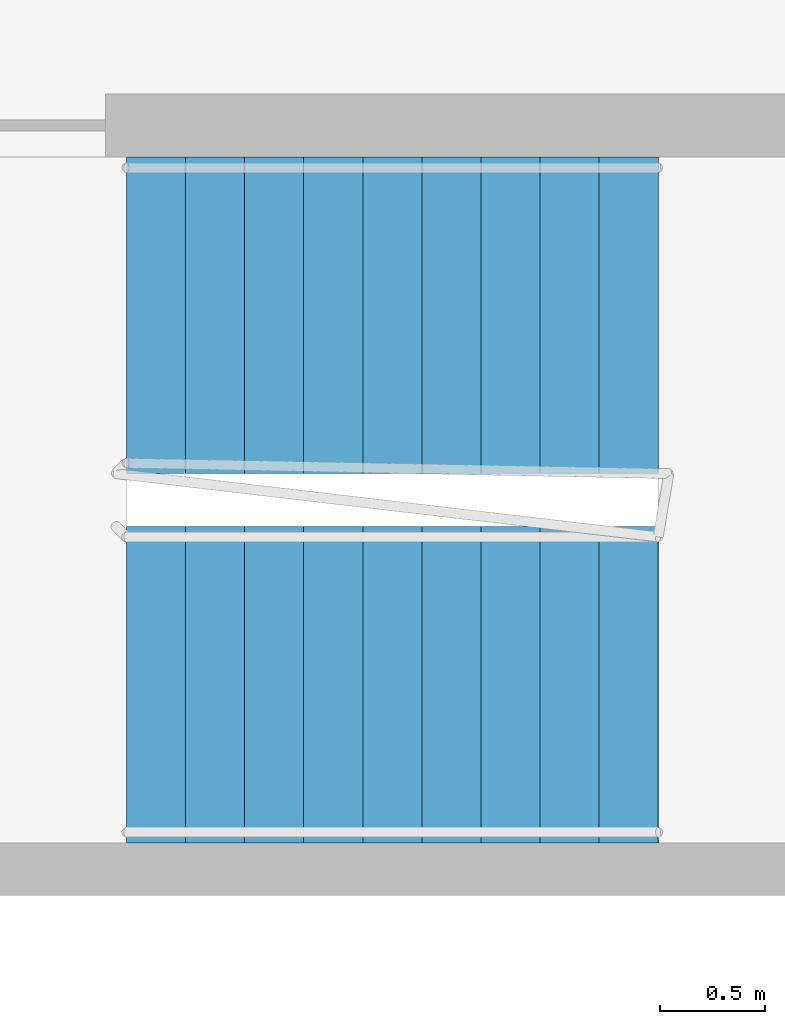
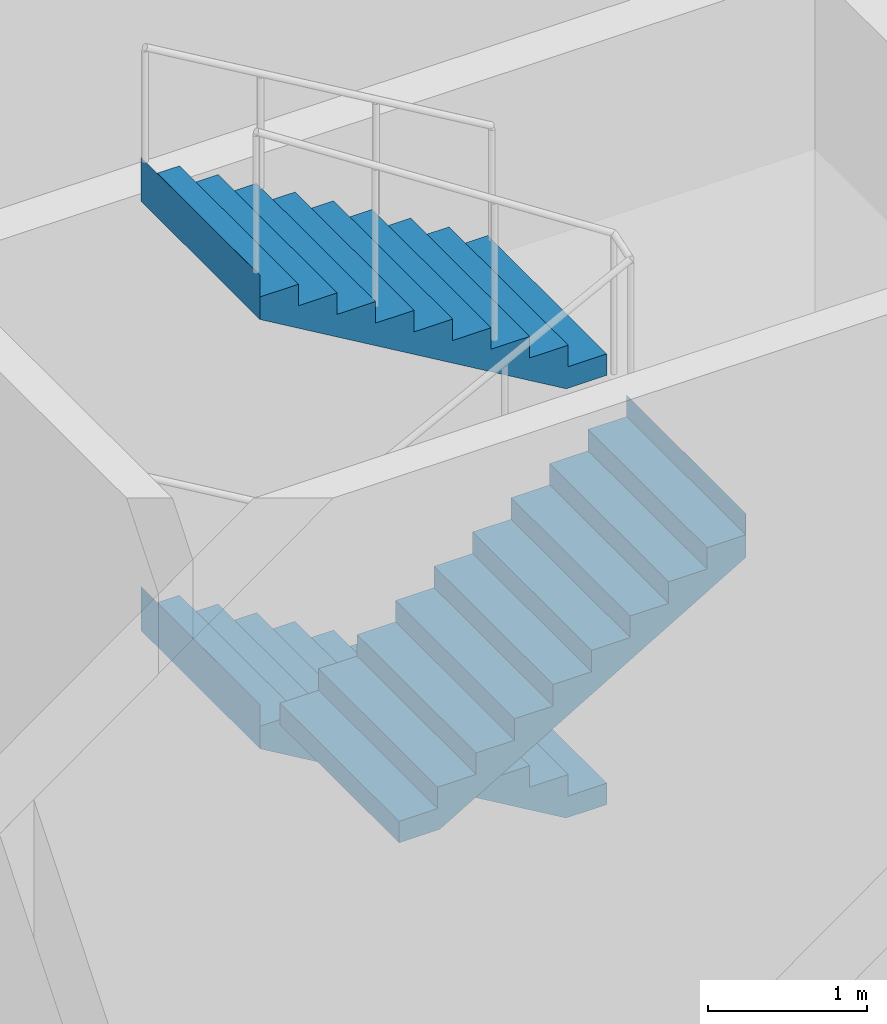
# One storey, part 22 of 25: 3 stair flights, 1 element without a shape of its own.
"""IFC4 building model written with IfcOpenShell, lengths in metres."""

from ifc_helpers import new_model, si_unit, direction, frame, origin, place, context, subcontext, project, spatial, faceted_brep, material, type_object, element, aggregate, save


model = new_model("IFC4")

# Units and contexts
model_context = context("Model", 3, precision=1e-05, world=origin(), true_north=direction((0.0, 1.0)))
body_context = subcontext(model_context, "Body", "Model", "MODEL_VIEW")
ifc_project = project(units=[si_unit("LENGTHUNIT", "METRE"), si_unit("AREAUNIT", "SQUARE_METRE"), si_unit("VOLUMEUNIT", "CUBIC_METRE"), si_unit("PLANEANGLEUNIT", "RADIAN"), si_unit("MASSUNIT", "GRAM", prefix="KILO")], contexts=[model_context])

# Site, building, storey
site_placement = place(None, origin())
site = spatial("IfcSite", under=ifc_project, at=site_placement, CompositionType="ELEMENT")
building_placement = place(site_placement, origin())
building = spatial("IfcBuilding", under=site, at=building_placement, Name="Kajstack Hotel Tower", CompositionType="ELEMENT")
storey_placement = place(building_placement, frame((0.0, 0.0, 104.199951171875)))
storey = spatial("IfcBuildingStorey", under=building, at=storey_placement, Name="L22", CompositionType="ELEMENT", Elevation=104.199951171875)

# Stair, stair flights
ifc_material = material(Name="Concrete C40/50", Category="concrete")
stair_type = type_object("IfcStairType", Name="Exit stair 1500", PredefinedType="HALF_TURN_STAIR", material=ifc_material)
stair_placement = place(storey_placement, origin())
stair = element("IfcStair", 1, at=stair_placement, inside=storey, type_object=stair_type, Name="L22 stair E3", PredefinedType="HALF_TURN_STAIR")
stair_flight_type = type_object("IfcStairFlightType", Name="Exit stair flight 1500", PredefinedType="STRAIGHT", material=ifc_material)
stair_flight_1_placement = place(storey_placement, frame((28.219970703125, 14.449951171875, 1.650146484375), z_axis=(0.0, 0.0, 1.0), x_axis=(-1.0, 0.0, 0.0)))
stair_flight_1 = element("IfcStairFlight", 2, at=stair_flight_1_placement, type_object=stair_flight_type, Name="E3 flight 2", NumberOfRisers=10, NumberOfTreads=9, PredefinedType="STRAIGHT", RiserHeight=0.165, TreadLength=0.28, context=body_context, shape_type="Brep", body=[
    faceted_brep([(0.295654296875, -0.75, 0.0), (2.5205078125, -0.75, 1.31103515625), (2.5205078125, -0.75, 1.64990234375), (2.52001953125, -0.75, 1.64990234375), (2.52001953125, -0.75, 1.485107421875), (2.239990234375, -0.75, 1.485107421875), (2.239990234375, -0.75, 1.320068359375), (1.9599609375, -0.75, 1.320068359375), (1.9599609375, -0.75, 1.155029296875), (1.679931640625, -0.75, 1.155029296875), (1.679931640625, -0.75, 0.989990234375), (1.39990234375, -0.75, 0.989990234375), (1.39990234375, -0.75, 0.824951171875), (1.1201171875, -0.75, 0.824951171875), (1.1201171875, -0.75, 0.659912109375), (0.840087890625, -0.75, 0.659912109375), (0.840087890625, -0.75, 0.4951171875), (0.56005859375, -0.75, 0.4951171875), (0.56005859375, -0.75, 0.330078125), (0.280029296875, -0.75, 0.330078125), (0.280029296875, -0.75, 0.1650390625), (-0.00048828125, -0.75, 0.1650390625), (-0.00048828125, -0.75, 0.0), (-0.00048828125, 0.75, 0.0), (-0.00048828125, 0.75, 0.1650390625), (0.280029296875, 0.75, 0.1650390625), (0.280029296875, 0.75, 0.330078125), (0.56005859375, 0.75, 0.330078125), (0.56005859375, 0.75, 0.4951171875), (0.840087890625, 0.75, 0.4951171875), (0.840087890625, 0.75, 0.659912109375), (1.1201171875, 0.75, 0.659912109375), (1.1201171875, 0.75, 0.824951171875), (1.39990234375, 0.75, 0.824951171875), (1.39990234375, 0.75, 0.989990234375), (1.679931640625, 0.75, 0.989990234375), (1.679931640625, 0.75, 1.155029296875), (1.9599609375, 0.75, 1.155029296875), (1.9599609375, 0.75, 1.320068359375), (2.239990234375, 0.75, 1.320068359375), (2.239990234375, 0.75, 1.485107421875), (2.52001953125, 0.75, 1.485107421875), (2.52001953125, 0.75, 1.64990234375), (2.5205078125, 0.75, 1.64990234375), (2.5205078125, 0.75, 1.31103515625), (0.295654296875, 0.75, 0.0), (-0.00048828125, -0.375, 0.1650390625), (-0.00048828125, 0.0, 0.1650390625), (-0.00048828125, 0.375, 0.1650390625), (-0.00048828125, 0.375, 0.0), (-0.00048828125, 0.0, 0.0), (-0.00048828125, -0.375, 0.0), (0.280029296875, -0.375, 0.1650390625), (0.280029296875, 0.0, 0.1650390625), (0.280029296875, 0.375, 0.1650390625), (0.280029296875, -0.375, 0.330078125), (0.280029296875, 0.0, 0.330078125), (0.280029296875, 0.375, 0.330078125), (0.56005859375, -0.375, 0.330078125), (0.56005859375, 0.0, 0.330078125), (0.56005859375, 0.375, 0.330078125), (0.56005859375, -0.375, 0.4951171875), (0.56005859375, 0.0, 0.4951171875), (0.56005859375, 0.375, 0.4951171875), (0.840087890625, -0.375, 0.4951171875), (0.840087890625, 0.0, 0.4951171875), (0.840087890625, 0.375, 0.4951171875), (0.840087890625, -0.375, 0.659912109375), (0.840087890625, 0.0, 0.659912109375), (0.840087890625, 0.375, 0.659912109375), (1.1201171875, -0.375, 0.659912109375), (1.1201171875, 0.0, 0.659912109375), (1.1201171875, 0.375, 0.659912109375), (1.1201171875, -0.375, 0.824951171875), (1.1201171875, 0.0, 0.824951171875), (1.1201171875, 0.375, 0.824951171875), (1.39990234375, -0.375, 0.824951171875), (1.39990234375, 0.0, 0.824951171875), (1.39990234375, 0.375, 0.824951171875), (1.39990234375, -0.375, 0.989990234375), (1.39990234375, 0.0, 0.989990234375), (1.39990234375, 0.375, 0.989990234375), (1.679931640625, -0.375, 0.989990234375), (1.679931640625, 0.0, 0.989990234375), (1.679931640625, 0.375, 0.989990234375), (1.679931640625, -0.375, 1.155029296875), (1.679931640625, 0.0, 1.155029296875), (1.679931640625, 0.375, 1.155029296875), (1.9599609375, -0.375, 1.155029296875), (1.9599609375, 0.0, 1.155029296875), (1.9599609375, 0.375, 1.155029296875), (1.9599609375, -0.375, 1.320068359375), (1.9599609375, 0.0, 1.320068359375), (1.9599609375, 0.375, 1.320068359375), (2.239990234375, -0.375, 1.320068359375), (2.239990234375, 0.0, 1.320068359375), (2.239990234375, 0.375, 1.320068359375), (2.239990234375, -0.375, 1.485107421875), (2.239990234375, 0.0, 1.485107421875), (2.239990234375, 0.375, 1.485107421875), (2.52001953125, -0.375, 1.485107421875), (2.52001953125, 0.0, 1.485107421875), (2.52001953125, 0.375, 1.485107421875), (2.52001953125, -0.375, 1.64990234375), (2.52001953125, 0.0, 1.64990234375), (2.52001953125, 0.375, 1.64990234375), (2.5205078125, -0.375, 1.64990234375), (2.5205078125, 0.0, 1.64990234375), (2.5205078125, 0.375, 1.64990234375), (2.5205078125, -0.375, 1.31103515625), (2.5205078125, 0.0, 1.31103515625), (2.5205078125, 0.375, 1.31103515625), (0.295654296875, -0.375, 0.0), (0.295654296875, 0.0, 0.0), (0.295654296875, 0.375, 0.0)], [[[0, 1, 2, 3, 4, 5, 6, 7, 8, 9, 10, 11, 12, 13, 14, 15, 16, 17, 18, 19, 20, 21, 22]], [[23, 24, 25, 26, 27, 28, 29, 30, 31, 32, 33, 34, 35, 36, 37, 38, 39, 40, 41, 42, 43, 44, 45]], [[21, 46, 47, 48, 24, 23, 49, 50, 51, 22]], [[20, 52, 53, 54, 25, 24, 48, 47, 46, 21]], [[19, 55, 56, 57, 26, 25, 54, 53, 52, 20]], [[18, 58, 59, 60, 27, 26, 57, 56, 55, 19]], [[17, 61, 62, 63, 28, 27, 60, 59, 58, 18]], [[16, 64, 65, 66, 29, 28, 63, 62, 61, 17]], [[15, 67, 68, 69, 30, 29, 66, 65, 64, 16]], [[14, 70, 71, 72, 31, 30, 69, 68, 67, 15]], [[13, 73, 74, 75, 32, 31, 72, 71, 70, 14]], [[12, 76, 77, 78, 33, 32, 75, 74, 73, 13]], [[11, 79, 80, 81, 34, 33, 78, 77, 76, 12]], [[10, 82, 83, 84, 35, 34, 81, 80, 79, 11]], [[9, 85, 86, 87, 36, 35, 84, 83, 82, 10]], [[8, 88, 89, 90, 37, 36, 87, 86, 85, 9]], [[7, 91, 92, 93, 38, 37, 90, 89, 88, 8]], [[6, 94, 95, 96, 39, 38, 93, 92, 91, 7]], [[5, 97, 98, 99, 40, 39, 96, 95, 94, 6]], [[4, 100, 101, 102, 41, 40, 99, 98, 97, 5]], [[3, 103, 104, 105, 42, 41, 102, 101, 100, 4]], [[2, 106, 107, 108, 43, 42, 105, 104, 103, 3]], [[1, 109, 110, 111, 44, 43, 108, 107, 106, 2]], [[0, 112, 113, 114, 45, 44, 111, 110, 109, 1]], [[22, 51, 50, 49, 23, 45, 114, 113, 112, 0]]]),
])
stair_flight_2_placement = place(storey_placement, frame((25.699951171875, 12.699951171875, 3.300048828125), z_axis=(0.0, 0.0, 1.0), x_axis=(1.0, 0.0, 0.0)))
stair_flight_2 = element("IfcStairFlight", 3, at=stair_flight_2_placement, type_object=stair_flight_type, Name="E3 flight 3", NumberOfRisers=10, NumberOfTreads=9, PredefinedType="STRAIGHT", RiserHeight=0.165, TreadLength=0.28, context=body_context, shape_type="Brep", body=[
    faceted_brep([(0.295654296875, -0.75, 0.0), (2.5205078125, -0.75, 1.31103515625), (2.5205078125, -0.75, 1.64990234375), (2.52001953125, -0.75, 1.64990234375), (2.52001953125, -0.75, 1.485107421875), (2.239990234375, -0.75, 1.485107421875), (2.239990234375, -0.75, 1.320068359375), (1.9599609375, -0.75, 1.320068359375), (1.9599609375, -0.75, 1.155029296875), (1.679931640625, -0.75, 1.155029296875), (1.679931640625, -0.75, 0.989990234375), (1.39990234375, -0.75, 0.989990234375), (1.39990234375, -0.75, 0.824951171875), (1.1201171875, -0.75, 0.824951171875), (1.1201171875, -0.75, 0.659912109375), (0.840087890625, -0.75, 0.659912109375), (0.840087890625, -0.75, 0.4951171875), (0.56005859375, -0.75, 0.4951171875), (0.56005859375, -0.75, 0.330078125), (0.280029296875, -0.75, 0.330078125), (0.280029296875, -0.75, 0.1650390625), (-0.00048828125, -0.75, 0.1650390625), (-0.00048828125, -0.75, 0.0), (-0.00048828125, 0.75, 0.0), (-0.00048828125, 0.75, 0.1650390625), (0.280029296875, 0.75, 0.1650390625), (0.280029296875, 0.75, 0.330078125), (0.56005859375, 0.75, 0.330078125), (0.56005859375, 0.75, 0.4951171875), (0.840087890625, 0.75, 0.4951171875), (0.840087890625, 0.75, 0.659912109375), (1.1201171875, 0.75, 0.659912109375), (1.1201171875, 0.75, 0.824951171875), (1.39990234375, 0.75, 0.824951171875), (1.39990234375, 0.75, 0.989990234375), (1.679931640625, 0.75, 0.989990234375), (1.679931640625, 0.75, 1.155029296875), (1.9599609375, 0.75, 1.155029296875), (1.9599609375, 0.75, 1.320068359375), (2.239990234375, 0.75, 1.320068359375), (2.239990234375, 0.75, 1.485107421875), (2.52001953125, 0.75, 1.485107421875), (2.52001953125, 0.75, 1.64990234375), (2.5205078125, 0.75, 1.64990234375), (2.5205078125, 0.75, 1.31103515625), (0.295654296875, 0.75, 0.0), (-0.00048828125, -0.375, 0.1650390625), (-0.00048828125, 0.0, 0.1650390625), (-0.00048828125, 0.375, 0.1650390625), (-0.00048828125, 0.375, 0.0), (-0.00048828125, 0.0, 0.0), (-0.00048828125, -0.375, 0.0), (0.280029296875, -0.375, 0.1650390625), (0.280029296875, 0.0, 0.1650390625), (0.280029296875, 0.375, 0.1650390625), (0.280029296875, -0.375, 0.330078125), (0.280029296875, 0.0, 0.330078125), (0.280029296875, 0.375, 0.330078125), (0.56005859375, -0.375, 0.330078125), (0.56005859375, 0.0, 0.330078125), (0.56005859375, 0.375, 0.330078125), (0.56005859375, -0.375, 0.4951171875), (0.56005859375, 0.0, 0.4951171875), (0.56005859375, 0.375, 0.4951171875), (0.840087890625, -0.375, 0.4951171875), (0.840087890625, 0.0, 0.4951171875), (0.840087890625, 0.375, 0.4951171875), (0.840087890625, -0.375, 0.659912109375), (0.840087890625, 0.0, 0.659912109375), (0.840087890625, 0.375, 0.659912109375), (1.1201171875, -0.375, 0.659912109375), (1.1201171875, 0.0, 0.659912109375), (1.1201171875, 0.375, 0.659912109375), (1.1201171875, -0.375, 0.824951171875), (1.1201171875, 0.0, 0.824951171875), (1.1201171875, 0.375, 0.824951171875), (1.39990234375, -0.375, 0.824951171875), (1.39990234375, 0.0, 0.824951171875), (1.39990234375, 0.375, 0.824951171875), (1.39990234375, -0.375, 0.989990234375), (1.39990234375, 0.0, 0.989990234375), (1.39990234375, 0.375, 0.989990234375), (1.679931640625, -0.375, 0.989990234375), (1.679931640625, 0.0, 0.989990234375), (1.679931640625, 0.375, 0.989990234375), (1.679931640625, -0.375, 1.155029296875), (1.679931640625, 0.0, 1.155029296875), (1.679931640625, 0.375, 1.155029296875), (1.9599609375, -0.375, 1.155029296875), (1.9599609375, 0.0, 1.155029296875), (1.9599609375, 0.375, 1.155029296875), (1.9599609375, -0.375, 1.320068359375), (1.9599609375, 0.0, 1.320068359375), (1.9599609375, 0.375, 1.320068359375), (2.239990234375, -0.375, 1.320068359375), (2.239990234375, 0.0, 1.320068359375), (2.239990234375, 0.375, 1.320068359375), (2.239990234375, -0.375, 1.485107421875), (2.239990234375, 0.0, 1.485107421875), (2.239990234375, 0.375, 1.485107421875), (2.52001953125, -0.375, 1.485107421875), (2.52001953125, 0.0, 1.485107421875), (2.52001953125, 0.375, 1.485107421875), (2.52001953125, -0.375, 1.64990234375), (2.52001953125, 0.0, 1.64990234375), (2.52001953125, 0.375, 1.64990234375), (2.5205078125, -0.375, 1.64990234375), (2.5205078125, 0.0, 1.64990234375), (2.5205078125, 0.375, 1.64990234375), (2.5205078125, -0.375, 1.31103515625), (2.5205078125, 0.0, 1.31103515625), (2.5205078125, 0.375, 1.31103515625), (0.295654296875, -0.375, 0.0), (0.295654296875, 0.0, 0.0), (0.295654296875, 0.375, 0.0)], [[[0, 1, 2, 3, 4, 5, 6, 7, 8, 9, 10, 11, 12, 13, 14, 15, 16, 17, 18, 19, 20, 21, 22]], [[23, 24, 25, 26, 27, 28, 29, 30, 31, 32, 33, 34, 35, 36, 37, 38, 39, 40, 41, 42, 43, 44, 45]], [[21, 46, 47, 48, 24, 23, 49, 50, 51, 22]], [[20, 52, 53, 54, 25, 24, 48, 47, 46, 21]], [[19, 55, 56, 57, 26, 25, 54, 53, 52, 20]], [[18, 58, 59, 60, 27, 26, 57, 56, 55, 19]], [[17, 61, 62, 63, 28, 27, 60, 59, 58, 18]], [[16, 64, 65, 66, 29, 28, 63, 62, 61, 17]], [[15, 67, 68, 69, 30, 29, 66, 65, 64, 16]], [[14, 70, 71, 72, 31, 30, 69, 68, 67, 15]], [[13, 73, 74, 75, 32, 31, 72, 71, 70, 14]], [[12, 76, 77, 78, 33, 32, 75, 74, 73, 13]], [[11, 79, 80, 81, 34, 33, 78, 77, 76, 12]], [[10, 82, 83, 84, 35, 34, 81, 80, 79, 11]], [[9, 85, 86, 87, 36, 35, 84, 83, 82, 10]], [[8, 88, 89, 90, 37, 36, 87, 86, 85, 9]], [[7, 91, 92, 93, 38, 37, 90, 89, 88, 8]], [[6, 94, 95, 96, 39, 38, 93, 92, 91, 7]], [[5, 97, 98, 99, 40, 39, 96, 95, 94, 6]], [[4, 100, 101, 102, 41, 40, 99, 98, 97, 5]], [[3, 103, 104, 105, 42, 41, 102, 101, 100, 4]], [[2, 106, 107, 108, 43, 42, 105, 104, 103, 3]], [[1, 109, 110, 111, 44, 43, 108, 107, 106, 2]], [[0, 112, 113, 114, 45, 44, 111, 110, 109, 1]], [[22, 51, 50, 49, 23, 45, 114, 113, 112, 0]]]),
])
stair_flight_3_placement = place(storey_placement, frame((28.219970703125, 14.449951171875, 4.949951171875), z_axis=(0.0, 0.0, 1.0), x_axis=(-1.0, 0.0, 0.0)))
stair_flight_3 = element("IfcStairFlight", 4, at=stair_flight_3_placement, type_object=stair_flight_type, Name="E3 flight 4", NumberOfRisers=10, NumberOfTreads=9, PredefinedType="STRAIGHT", RiserHeight=0.165, TreadLength=0.28, context=body_context, shape_type="Brep", body=[
    faceted_brep([(0.295654296875, -0.75, 0.0), (2.5205078125, -0.75, 1.31103515625), (2.5205078125, -0.75, 1.64990234375), (2.52001953125, -0.75, 1.64990234375), (2.52001953125, -0.75, 1.485107421875), (2.239990234375, -0.75, 1.485107421875), (2.239990234375, -0.75, 1.320068359375), (1.9599609375, -0.75, 1.320068359375), (1.9599609375, -0.75, 1.155029296875), (1.679931640625, -0.75, 1.155029296875), (1.679931640625, -0.75, 0.989990234375), (1.39990234375, -0.75, 0.989990234375), (1.39990234375, -0.75, 0.824951171875), (1.1201171875, -0.75, 0.824951171875), (1.1201171875, -0.75, 0.659912109375), (0.840087890625, -0.75, 0.659912109375), (0.840087890625, -0.75, 0.4951171875), (0.56005859375, -0.75, 0.4951171875), (0.56005859375, -0.75, 0.330078125), (0.280029296875, -0.75, 0.330078125), (0.280029296875, -0.75, 0.1650390625), (-0.00048828125, -0.75, 0.1650390625), (-0.00048828125, -0.75, 0.0), (-0.00048828125, 0.75, 0.0), (-0.00048828125, 0.75, 0.1650390625), (0.280029296875, 0.75, 0.1650390625), (0.280029296875, 0.75, 0.330078125), (0.56005859375, 0.75, 0.330078125), (0.56005859375, 0.75, 0.4951171875), (0.840087890625, 0.75, 0.4951171875), (0.840087890625, 0.75, 0.659912109375), (1.1201171875, 0.75, 0.659912109375), (1.1201171875, 0.75, 0.824951171875), (1.39990234375, 0.75, 0.824951171875), (1.39990234375, 0.75, 0.989990234375), (1.679931640625, 0.75, 0.989990234375), (1.679931640625, 0.75, 1.155029296875), (1.9599609375, 0.75, 1.155029296875), (1.9599609375, 0.75, 1.320068359375), (2.239990234375, 0.75, 1.320068359375), (2.239990234375, 0.75, 1.485107421875), (2.52001953125, 0.75, 1.485107421875), (2.52001953125, 0.75, 1.64990234375), (2.5205078125, 0.75, 1.64990234375), (2.5205078125, 0.75, 1.31103515625), (0.295654296875, 0.75, 0.0), (-0.00048828125, -0.375, 0.1650390625), (-0.00048828125, 0.0, 0.1650390625), (-0.00048828125, 0.375, 0.1650390625), (-0.00048828125, 0.375, 0.0), (-0.00048828125, 0.0, 0.0), (-0.00048828125, -0.375, 0.0), (0.280029296875, -0.375, 0.1650390625), (0.280029296875, 0.0, 0.1650390625), (0.280029296875, 0.375, 0.1650390625), (0.280029296875, -0.375, 0.330078125), (0.280029296875, 0.0, 0.330078125), (0.280029296875, 0.375, 0.330078125), (0.56005859375, -0.375, 0.330078125), (0.56005859375, 0.0, 0.330078125), (0.56005859375, 0.375, 0.330078125), (0.56005859375, -0.375, 0.4951171875), (0.56005859375, 0.0, 0.4951171875), (0.56005859375, 0.375, 0.4951171875), (0.840087890625, -0.375, 0.4951171875), (0.840087890625, 0.0, 0.4951171875), (0.840087890625, 0.375, 0.4951171875), (0.840087890625, -0.375, 0.659912109375), (0.840087890625, 0.0, 0.659912109375), (0.840087890625, 0.375, 0.659912109375), (1.1201171875, -0.375, 0.659912109375), (1.1201171875, 0.0, 0.659912109375), (1.1201171875, 0.375, 0.659912109375), (1.1201171875, -0.375, 0.824951171875), (1.1201171875, 0.0, 0.824951171875), (1.1201171875, 0.375, 0.824951171875), (1.39990234375, -0.375, 0.824951171875), (1.39990234375, 0.0, 0.824951171875), (1.39990234375, 0.375, 0.824951171875), (1.39990234375, -0.375, 0.989990234375), (1.39990234375, 0.0, 0.989990234375), (1.39990234375, 0.375, 0.989990234375), (1.679931640625, -0.375, 0.989990234375), (1.679931640625, 0.0, 0.989990234375), (1.679931640625, 0.375, 0.989990234375), (1.679931640625, -0.375, 1.155029296875), (1.679931640625, 0.0, 1.155029296875), (1.679931640625, 0.375, 1.155029296875), (1.9599609375, -0.375, 1.155029296875), (1.9599609375, 0.0, 1.155029296875), (1.9599609375, 0.375, 1.155029296875), (1.9599609375, -0.375, 1.320068359375), (1.9599609375, 0.0, 1.320068359375), (1.9599609375, 0.375, 1.320068359375), (2.239990234375, -0.375, 1.320068359375), (2.239990234375, 0.0, 1.320068359375), (2.239990234375, 0.375, 1.320068359375), (2.239990234375, -0.375, 1.485107421875), (2.239990234375, 0.0, 1.485107421875), (2.239990234375, 0.375, 1.485107421875), (2.52001953125, -0.375, 1.485107421875), (2.52001953125, 0.0, 1.485107421875), (2.52001953125, 0.375, 1.485107421875), (2.52001953125, -0.375, 1.64990234375), (2.52001953125, 0.0, 1.64990234375), (2.52001953125, 0.375, 1.64990234375), (2.5205078125, -0.375, 1.64990234375), (2.5205078125, 0.0, 1.64990234375), (2.5205078125, 0.375, 1.64990234375), (2.5205078125, -0.375, 1.31103515625), (2.5205078125, 0.0, 1.31103515625), (2.5205078125, 0.375, 1.31103515625), (0.295654296875, -0.375, 0.0), (0.295654296875, 0.0, 0.0), (0.295654296875, 0.375, 0.0)], [[[0, 1, 2, 3, 4, 5, 6, 7, 8, 9, 10, 11, 12, 13, 14, 15, 16, 17, 18, 19, 20, 21, 22]], [[23, 24, 25, 26, 27, 28, 29, 30, 31, 32, 33, 34, 35, 36, 37, 38, 39, 40, 41, 42, 43, 44, 45]], [[21, 46, 47, 48, 24, 23, 49, 50, 51, 22]], [[20, 52, 53, 54, 25, 24, 48, 47, 46, 21]], [[19, 55, 56, 57, 26, 25, 54, 53, 52, 20]], [[18, 58, 59, 60, 27, 26, 57, 56, 55, 19]], [[17, 61, 62, 63, 28, 27, 60, 59, 58, 18]], [[16, 64, 65, 66, 29, 28, 63, 62, 61, 17]], [[15, 67, 68, 69, 30, 29, 66, 65, 64, 16]], [[14, 70, 71, 72, 31, 30, 69, 68, 67, 15]], [[13, 73, 74, 75, 32, 31, 72, 71, 70, 14]], [[12, 76, 77, 78, 33, 32, 75, 74, 73, 13]], [[11, 79, 80, 81, 34, 33, 78, 77, 76, 12]], [[10, 82, 83, 84, 35, 34, 81, 80, 79, 11]], [[9, 85, 86, 87, 36, 35, 84, 83, 82, 10]], [[8, 88, 89, 90, 37, 36, 87, 86, 85, 9]], [[7, 91, 92, 93, 38, 37, 90, 89, 88, 8]], [[6, 94, 95, 96, 39, 38, 93, 92, 91, 7]], [[5, 97, 98, 99, 40, 39, 96, 95, 94, 6]], [[4, 100, 101, 102, 41, 40, 99, 98, 97, 5]], [[3, 103, 104, 105, 42, 41, 102, 101, 100, 4]], [[2, 106, 107, 108, 43, 42, 105, 104, 103, 3]], [[1, 109, 110, 111, 44, 43, 108, 107, 106, 2]], [[0, 112, 113, 114, 45, 44, 111, 110, 109, 1]], [[22, 51, 50, 49, 23, 45, 114, 113, 112, 0]]]),
])
aggregate(stair, [stair_flight_1, stair_flight_2, stair_flight_3])

save(model, "model.ifc")
